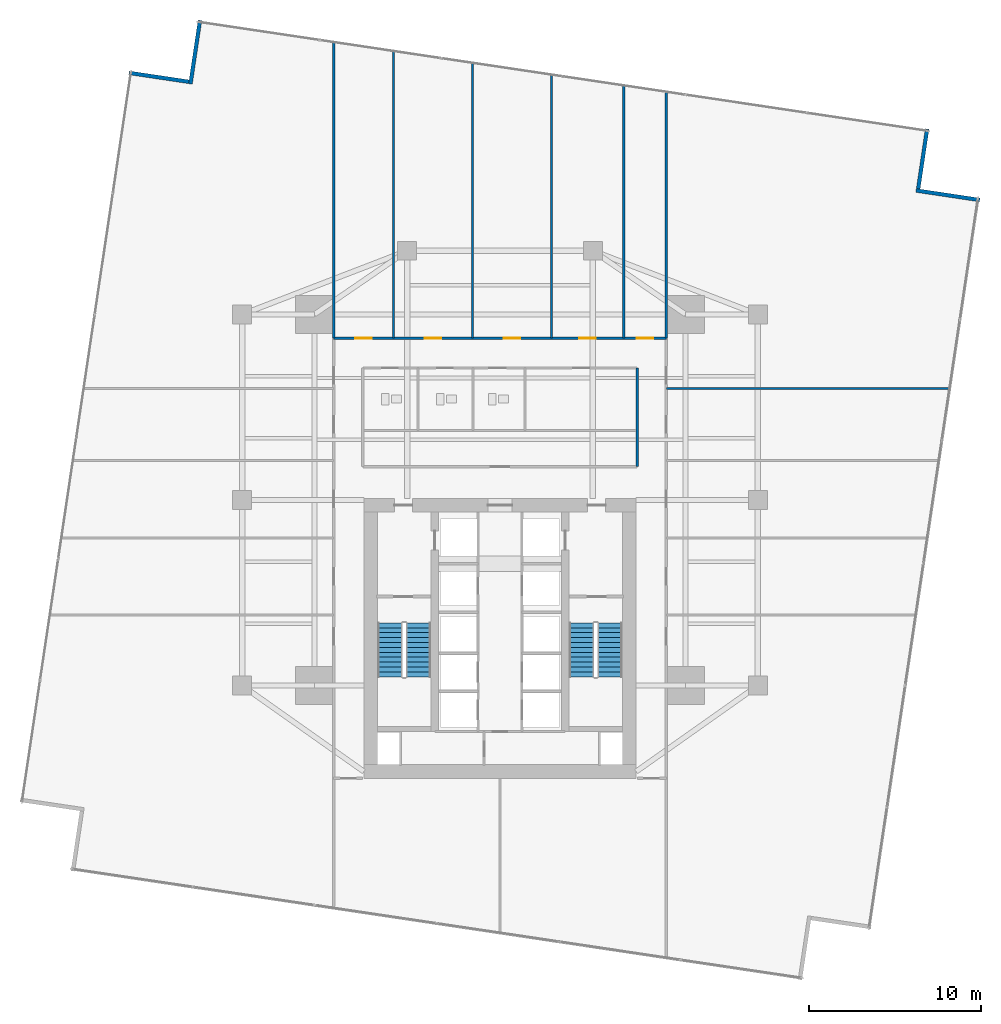
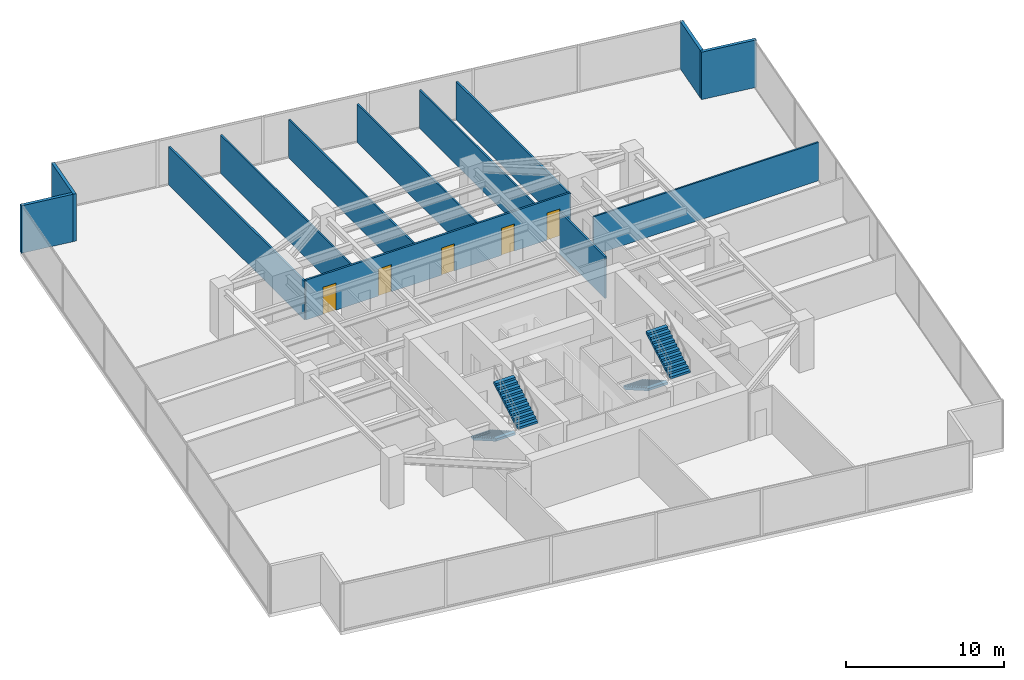
# One storey, part 27 of 29: 13 walls, 5 doors, 4 stair flights, 5 openings, 2 elements without a shape of their own.
"""IFC4 building model written with IfcOpenShell, lengths in metres."""

from ifc_helpers import new_model, si_unit, direction, frame, frame_2d, origin, place, context, subcontext, project, spatial, polyline, rectangle, outline, extrude, material, layer, layer_set, type_object, element, fill, aggregate, save


model = new_model("IFC4")

# Units and contexts
model_context = context("Model", 3, precision=1e-05, world=origin(), true_north=direction((0.0, 1.0)))
body_context = subcontext(model_context, "Body", "Model", "MODEL_VIEW")
ifc_project = project(units=[si_unit("LENGTHUNIT", "METRE"), si_unit("AREAUNIT", "SQUARE_METRE"), si_unit("VOLUMEUNIT", "CUBIC_METRE"), si_unit("PLANEANGLEUNIT", "RADIAN"), si_unit("MASSUNIT", "GRAM", prefix="KILO")], contexts=[model_context])

# Site, building, storey
site_placement = place(None, origin())
site = spatial("IfcSite", under=ifc_project, at=site_placement, CompositionType="ELEMENT")
building_placement = place(site_placement, origin())
building = spatial("IfcBuilding", under=site, at=building_placement, Name="Krantzveldt Concourse Tower", CompositionType="ELEMENT")
storey_placement = place(building_placement, frame((0.0, 0.0, 68.449951171875)))
storey = spatial("IfcBuildingStorey", under=building, at=storey_placement, Name="L16", CompositionType="ELEMENT", Elevation=68.449951171875)

# Walls
ifc_material_1 = material(Name="Anodised aluminium 6063-T6", Category="aluminium")
ifc_layer_1 = layer(ifc_material_1, 0.219970703125, Name="Anodised aluminium 6063-T6", Category="aluminium")
ifc_layer_set_1 = layer_set([ifc_layer_1], Name="Anodised aluminium 6063-T6 (WL-EXT-NOTCH220)")
wall_type_1 = type_object("IfcWallType", Name="WL-EXT-NOTCH220", PredefinedType="ELEMENTEDWALL", material=ifc_layer_set_1)
wall_1_placement = place(storey_placement, frame((17.897705078125, 51.032958984375, 0.0), z_axis=(0.0, 0.0, 1.0), x_axis=(-0.989015973204, 0.147808676155, 0.0)))
element("IfcWall", 1, at=wall_1_placement, inside=storey, type_object=wall_type_1, Name="EW-L16-NCH00", PredefinedType="ELEMENTEDWALL", context=body_context, shape_type="SweptSolid", body=[
    extrude(rectangle(XDim=3.52490234375, YDim=0.219970703125, at=frame_2d((1.762451171875, 0.0))), origin(), (0.0, 0.0, 1.0), 3.670166015625),
])
wall_2_placement = place(storey_placement, frame((63.911865234375, 44.156005859375, 0.0), z_axis=(0.0, 0.0, 1.0), x_axis=(-0.989009392913, 0.147852699435, 0.0)))
element("IfcWall", 2, at=wall_2_placement, inside=storey, type_object=wall_type_1, Name="EW-L16-NCH08", PredefinedType="ELEMENTEDWALL", context=body_context, shape_type="SweptSolid", body=[
    extrude(rectangle(XDim=3.7451171875, YDim=0.219970703125, at=frame_2d((1.87255859375, 0.0))), origin(), (0.0, 0.0, 1.0), 3.670166015625),
])
wall_3_placement = place(storey_placement, frame((60.3330078125, 44.80224609375, 0.0), z_axis=(0.0, 0.0, 1.0), x_axis=(0.147798551521, 0.98901748628, 0.0)))
element("IfcWall", 3, at=wall_3_placement, inside=storey, type_object=wall_type_1, Name="EW-L16-NCH09", PredefinedType="ELEMENTEDWALL", context=body_context, shape_type="SweptSolid", body=[
    extrude(rectangle(XDim=3.525146484375, YDim=0.219970703125, at=frame_2d((1.7626953125, 0.0))), origin(), (0.0, 0.0, 1.0), 3.670166015625),
])
wall_4_placement = place(storey_placement, frame((18.5439453125, 54.61181640625, 0.0), z_axis=(0.0, 0.0, 1.0), x_axis=(-0.147852699435, -0.989009392913, 0.0)))
element("IfcWall", 4, at=wall_4_placement, inside=storey, type_object=wall_type_1, Name="EW-L16-NCH11", PredefinedType="ELEMENTEDWALL", context=body_context, shape_type="SweptSolid", body=[
    extrude(rectangle(XDim=3.7451171875, YDim=0.219970703125, at=frame_2d((1.87255859375, 0.0))), origin(), (0.0, 0.0, 1.0), 3.670166015625),
])
ifc_material_2 = material(Name="Fire-rated gypsum plasterboard on steel stud", Category="steel")
ifc_layer_2 = layer(ifc_material_2, 0.1201171875, Name="Fire-rated gypsum plasterboard on steel stud", Category="steel")
ifc_layer_set_2 = layer_set([ifc_layer_2], Name="Fire-rated gypsum plasterboard on steel stud (WL-PART-120)")
wall_type_2 = type_object("IfcWallType", Name="WL-PART-120", PredefinedType="PARTITIONING", material=ifc_layer_set_2)
wall_5_placement = place(storey_placement, frame((29.800048828125, 36.1201171875, 0.0), z_axis=(0.0, 0.0, 1.0), x_axis=(0.0, 1.0, 0.0)))
element("IfcWall", 5, at=wall_5_placement, inside=storey, type_object=wall_type_2, Name="WP-L16-ND1", PredefinedType="PARTITIONING", context=body_context, shape_type="SweptSolid", body=[
    extrude(rectangle(XDim=16.693115234375, YDim=0.1201171875, at=frame_2d((8.3466796875, 0.0))), origin(), (0.0, 0.0, 1.0), 2.969970703125),
])
wall_6_placement = place(storey_placement, frame((34.39990234375, 36.1201171875, 0.0), z_axis=(0.0, 0.0, 1.0), x_axis=(0.0, 1.0, 0.0)))
element("IfcWall", 6, at=wall_6_placement, inside=storey, type_object=wall_type_2, Name="WP-L16-ND2", PredefinedType="PARTITIONING", context=body_context, shape_type="SweptSolid", body=[
    extrude(rectangle(XDim=16.005615234375, YDim=0.1201171875, at=frame_2d((8.0029296875, 0.0))), origin(), (0.0, 0.0, 1.0), 2.969970703125),
])
wall_7_placement = place(storey_placement, frame((39.0, 36.1201171875, 0.0), z_axis=(0.0, 0.0, 1.0), x_axis=(0.0, 1.0, 0.0)))
element("IfcWall", 7, at=wall_7_placement, inside=storey, type_object=wall_type_2, Name="WP-L16-ND3", PredefinedType="PARTITIONING", context=body_context, shape_type="SweptSolid", body=[
    extrude(rectangle(XDim=15.318115234375, YDim=0.1201171875, at=frame_2d((7.6591796875, 0.0))), origin(), (0.0, 0.0, 1.0), 2.969970703125),
])
wall_8_placement = place(storey_placement, frame((43.199951171875, 36.1201171875, 0.0), z_axis=(0.0, 0.0, 1.0), x_axis=(0.0, 1.0, 0.0)))
element("IfcWall", 8, at=wall_8_placement, inside=storey, type_object=wall_type_2, Name="WP-L16-ND4", PredefinedType="PARTITIONING", context=body_context, shape_type="SweptSolid", body=[
    extrude(rectangle(XDim=14.6904296875, YDim=0.1201171875, at=frame_2d((7.34521484375, 0.0))), origin(), (0.0, 0.0, 1.0), 2.969970703125),
])
wall_9_placement = place(storey_placement, frame((45.679931640625, 33.199951171875, 0.0), z_axis=(0.0, 0.0, 1.0), x_axis=(1.0, 0.0, 0.0)))
element("IfcWall", 9, at=wall_9_placement, inside=storey, type_object=wall_type_2, Name="WP-L16-ED4", PredefinedType="PARTITIONING", context=body_context, shape_type="SweptSolid", body=[
    extrude(rectangle(XDim=16.478271484375, YDim=0.1201171875, at=frame_2d((8.2392578125, 0.0))), origin(), (0.0, 0.0, 1.0), 2.969970703125),
])
ifc_layer_3 = layer(ifc_material_2, 0.139892578125, Name="Fire-rated gypsum plasterboard on steel stud", Category="steel")
ifc_layer_set_3 = layer_set([ifc_layer_3], Name="Fire-rated gypsum plasterboard on steel stud (WL-PART-140)")
wall_type_3 = type_object("IfcWallType", Name="WL-PART-140", PredefinedType="PARTITIONING", material=ifc_layer_set_3)
wall_10_placement = place(storey_placement, frame((43.97998046875, 28.639892578125, 0.0), z_axis=(0.0, 0.0, 1.0), x_axis=(0.0, 1.0, 0.0)))
element("IfcWall", 10, at=wall_10_placement, inside=storey, type_object=wall_type_3, Name="WP-L16-ISLE", PredefinedType="PARTITIONING", context=body_context, shape_type="SweptSolid", body=[
    extrude(rectangle(XDim=5.739990234375, YDim=0.139892578125, at=frame_2d((2.8701171875, 0.0))), origin(), (0.0, 0.0, 1.0), 3.219970703125),
])

# Wall, openings, doors
wall_11_placement = place(storey_placement, frame((26.320068359375, 36.1201171875, 0.0), z_axis=(0.0, 0.0, 1.0), x_axis=(1.0, 0.0, 0.0)))
wall_11 = element("IfcWall", 11, at=wall_11_placement, inside=storey, type_object=wall_type_3, Name="WP-L16-CTOP", PredefinedType="PARTITIONING", context=body_context, shape_type="SweptSolid", body=[
    extrude(rectangle(XDim=19.35986328125, YDim=0.139892578125, at=frame_2d((9.679931640625, 0.0))), origin(), (0.0, 0.0, 1.0), 3.080078125),
])
opening_1_placement = place(wall_11_placement, frame((1.264892578125, 0.0, 0.0)))
opening_1 = element("IfcOpeningElement", 12, at=opening_1_placement, cuts=wall_11, Name="Opening D-IN095", PredefinedType="OPENING", context=body_context, shape_type="SweptSolid", body=[
    extrude(rectangle(XDim=0.949951171875, YDim=2.10009765625, at=frame_2d((0.47509765625, 1.050048828125))), frame((0.0, 0.080078125, 0.0), z_axis=(0.0, -1.0, 0.0), x_axis=(1.0, 0.0, 0.0)), (0.0, 0.0, 1.0), 0.159912109375),
])
opening_2_placement = place(wall_11_placement, frame((5.304931640625, 0.0, 0.0)))
opening_2 = element("IfcOpeningElement", 13, at=opening_2_placement, cuts=wall_11, Name="Opening D-IN095", PredefinedType="OPENING", context=body_context, shape_type="SweptSolid", body=[
    extrude(rectangle(XDim=0.949951171875, YDim=2.10009765625, at=frame_2d((0.47509765625, 1.050048828125))), frame((0.0, 0.080078125, 0.0), z_axis=(0.0, -1.0, 0.0), x_axis=(1.0, 0.0, 0.0)), (0.0, 0.0, 1.0), 0.159912109375),
])
opening_3_placement = place(wall_11_placement, frame((9.905029296875, 0.0, 0.0)))
opening_3 = element("IfcOpeningElement", 14, at=opening_3_placement, cuts=wall_11, Name="Opening D-IN095", PredefinedType="OPENING", context=body_context, shape_type="SweptSolid", body=[
    extrude(rectangle(XDim=0.949951171875, YDim=2.10009765625, at=frame_2d((0.47509765625, 1.050048828125))), frame((0.0, 0.080078125, 0.0), z_axis=(0.0, -1.0, 0.0), x_axis=(1.0, 0.0, 0.0)), (0.0, 0.0, 1.0), 0.159912109375),
])
opening_4_placement = place(wall_11_placement, frame((14.304931640625, 0.0, 0.0)))
opening_4 = element("IfcOpeningElement", 15, at=opening_4_placement, cuts=wall_11, Name="Opening D-IN095", PredefinedType="OPENING", context=body_context, shape_type="SweptSolid", body=[
    extrude(rectangle(XDim=0.949951171875, YDim=2.10009765625, at=frame_2d((0.47509765625, 1.050048828125))), frame((0.0, 0.080078125, 0.0), z_axis=(0.0, -1.0, 0.0), x_axis=(1.0, 0.0, 0.0)), (0.0, 0.0, 1.0), 0.159912109375),
])
opening_5_placement = place(wall_11_placement, frame((17.64501953125, 0.0, 0.0)))
opening_5 = element("IfcOpeningElement", 16, at=opening_5_placement, cuts=wall_11, Name="Opening D-IN095", PredefinedType="OPENING", context=body_context, shape_type="SweptSolid", body=[
    extrude(rectangle(XDim=0.949951171875, YDim=2.10009765625, at=frame_2d((0.47509765625, 1.050048828125))), frame((0.0, 0.080078125, 0.0), z_axis=(0.0, -1.0, 0.0), x_axis=(1.0, 0.0, 0.0)), (0.0, 0.0, 1.0), 0.159912109375),
])
ifc_material_3 = material(Name="Hardwood timber", Category="wood")
door_type = type_object("IfcDoorType", Name="DR-INT-950", OperationType="SINGLE_SWING_LEFT", PredefinedType="DOOR", material=ifc_material_3)
door_1_placement = place(opening_1_placement, origin())
door_1 = element("IfcDoor", 17, at=door_1_placement, inside=storey, type_object=door_type, Name="DR-L16-NR1", OperationType="SINGLE_SWING_LEFT", OverallHeight=2.10009765625, OverallWidth=0.949951171875, PredefinedType="DOOR", context=body_context, shape_type="SweptSolid", body=[
    extrude(rectangle(XDim=0.949951171875, YDim=2.10009765625, at=frame_2d((0.47509765625, 1.050048828125))), frame((0.0, 0.02490234375, 0.0), z_axis=(0.0, -1.0, 0.0), x_axis=(1.0, 0.0, 0.0)), (0.0, 0.0, 1.0), 0.050048828125),
])
fill(opening_1, door_1)
door_2_placement = place(opening_2_placement, origin())
door_2 = element("IfcDoor", 18, at=door_2_placement, inside=storey, type_object=door_type, Name="DR-L16-NR2", OperationType="SINGLE_SWING_LEFT", OverallHeight=2.10009765625, OverallWidth=0.949951171875, PredefinedType="DOOR", context=body_context, shape_type="SweptSolid", body=[
    extrude(rectangle(XDim=0.949951171875, YDim=2.10009765625, at=frame_2d((0.47509765625, 1.050048828125))), frame((0.0, 0.02490234375, 0.0), z_axis=(0.0, -1.0, 0.0), x_axis=(1.0, 0.0, 0.0)), (0.0, 0.0, 1.0), 0.050048828125),
])
fill(opening_2, door_2)
door_3_placement = place(opening_3_placement, origin())
door_3 = element("IfcDoor", 19, at=door_3_placement, inside=storey, type_object=door_type, Name="DR-L16-NR3", OperationType="SINGLE_SWING_LEFT", OverallHeight=2.10009765625, OverallWidth=0.949951171875, PredefinedType="DOOR", context=body_context, shape_type="SweptSolid", body=[
    extrude(rectangle(XDim=0.949951171875, YDim=2.10009765625, at=frame_2d((0.47509765625, 1.050048828125))), frame((0.0, 0.02490234375, 0.0), z_axis=(0.0, -1.0, 0.0), x_axis=(1.0, 0.0, 0.0)), (0.0, 0.0, 1.0), 0.050048828125),
])
fill(opening_3, door_3)
door_4_placement = place(opening_4_placement, origin())
door_4 = element("IfcDoor", 20, at=door_4_placement, inside=storey, type_object=door_type, Name="DR-L16-NR4", OperationType="SINGLE_SWING_LEFT", OverallHeight=2.10009765625, OverallWidth=0.949951171875, PredefinedType="DOOR", context=body_context, shape_type="SweptSolid", body=[
    extrude(rectangle(XDim=0.949951171875, YDim=2.10009765625, at=frame_2d((0.47509765625, 1.050048828125))), frame((0.0, 0.02490234375, 0.0), z_axis=(0.0, -1.0, 0.0), x_axis=(1.0, 0.0, 0.0)), (0.0, 0.0, 1.0), 0.050048828125),
])
fill(opening_4, door_4)
door_5_placement = place(opening_5_placement, origin())
door_5 = element("IfcDoor", 21, at=door_5_placement, inside=storey, type_object=door_type, Name="DR-L16-NR5", OperationType="SINGLE_SWING_LEFT", OverallHeight=2.10009765625, OverallWidth=0.949951171875, PredefinedType="DOOR", context=body_context, shape_type="SweptSolid", body=[
    extrude(rectangle(XDim=0.949951171875, YDim=2.10009765625, at=frame_2d((0.47509765625, 1.050048828125))), frame((0.0, 0.02490234375, 0.0), z_axis=(0.0, -1.0, 0.0), x_axis=(1.0, 0.0, 0.0)), (0.0, 0.0, 1.0), 0.050048828125),
])
fill(opening_5, door_5)

# Walls
wall_12_placement = place(storey_placement, frame((26.320068359375, 36.1201171875, 0.0), z_axis=(0.0, 0.0, 1.0), x_axis=(0.0, 1.0, 0.0)))
element("IfcWall", 22, at=wall_12_placement, inside=storey, type_object=wall_type_3, Name="WP-L16-NWL", PredefinedType="PARTITIONING", context=body_context, shape_type="SweptSolid", body=[
    extrude(rectangle(XDim=17.213134765625, YDim=0.139892578125, at=frame_2d((8.6064453125, 0.0))), origin(), (0.0, 0.0, 1.0), 2.969970703125),
])
wall_13_placement = place(storey_placement, frame((45.679931640625, 36.1201171875, 0.0), z_axis=(0.0, 0.0, 1.0), x_axis=(0.0, 1.0, 0.0)))
element("IfcWall", 23, at=wall_13_placement, inside=storey, type_object=wall_type_3, Name="WP-L16-NER", PredefinedType="PARTITIONING", context=body_context, shape_type="SweptSolid", body=[
    extrude(rectangle(XDim=14.31982421875, YDim=0.139892578125, at=frame_2d((7.159912109375, 0.0))), origin(), (0.0, 0.0, 1.0), 2.969970703125),
])

# Stair, stair flights
ifc_material_4 = material(Name="Precast concrete C40/50", Category="concrete")
stair_type = type_object("IfcStairType", Name="STR-CORE-DOGLEG", PredefinedType="HALF_TURN_STAIR", material=ifc_material_4)
stair_1_placement = place(storey_placement, origin())
stair_1 = element("IfcStair", 24, at=stair_1_placement, inside=storey, type_object=stair_type, Name="L16 Protected Escape Stair ST-1", PredefinedType="HALF_TURN_STAIR")
stair_flight_type = type_object("IfcStairFlightType", Name="STF-CORE-1450", PredefinedType="STRAIGHT", material=ifc_material_4)
stair_flight_1_placement = place(storey_placement, frame((29.60498046875, 19.550048828125, 0.0), z_axis=(0.0, 0.0, 1.0), x_axis=(0.0, -1.0, 0.0)))
stair_flight_1 = element("IfcStairFlight", 25, at=stair_flight_1_placement, type_object=stair_flight_type, Name="ST-1 flight 1", NumberOfRisers=12, NumberOfTreads=11, PredefinedType="STRAIGHT", RiserHeight=0.164583333, TreadLength=0.285, context=body_context, shape_type="SweptSolid", body=[
    extrude(outline(polyline([(0.0, 0.0), (0.0, 0.16455078125), (0.284912109375, 0.16455078125), (0.284912109375, 0.3291015625), (0.570068359375, 0.3291015625), (0.570068359375, 0.49365234375), (0.85498046875, 0.49365234375), (0.85498046875, 0.658447265625), (1.139892578125, 0.658447265625), (1.139892578125, 0.822998046875), (1.425048828125, 0.822998046875), (1.425048828125, 0.987548828125), (1.7099609375, 0.987548828125), (1.7099609375, 1.152099609375), (1.9951171875, 1.152099609375), (1.9951171875, 1.316650390625), (2.280029296875, 1.316650390625), (2.280029296875, 1.481201171875), (2.56494140625, 1.481201171875), (2.56494140625, 1.645751953125), (2.85009765625, 1.645751953125), (2.85009765625, 1.810302734375), (3.135009765625, 1.810302734375), (3.135009765625, 1.97509765625), (3.135009765625, 1.63720703125), (0.2998046875, 0.0), (0.0, 0.0)])), frame((0.0, 0.72509765625, 0.0), z_axis=(0.0, -1.0, 0.0), x_axis=(1.0, 0.0, 0.0)), (0.0, 0.0, 1.0), 1.449951171875),
])
stair_flight_2_placement = place(storey_placement, frame((31.2548828125, 16.4150390625, 1.97509765625), z_axis=(0.0, 0.0, 1.0), x_axis=(0.0, 1.0, 0.0)))
stair_flight_2 = element("IfcStairFlight", 26, at=stair_flight_2_placement, type_object=stair_flight_type, Name="ST-1 flight 2", NumberOfRisers=12, NumberOfTreads=11, PredefinedType="STRAIGHT", RiserHeight=0.164583333, TreadLength=0.285, context=body_context, shape_type="SweptSolid", body=[
    extrude(outline(polyline([(0.0, 0.0), (0.0, 0.16455078125), (0.284912109375, 0.16455078125), (0.284912109375, 0.3291015625), (0.570068359375, 0.3291015625), (0.570068359375, 0.49365234375), (0.85498046875, 0.49365234375), (0.85498046875, 0.658447265625), (1.139892578125, 0.658447265625), (1.139892578125, 0.822998046875), (1.425048828125, 0.822998046875), (1.425048828125, 0.987548828125), (1.7099609375, 0.987548828125), (1.7099609375, 1.152099609375), (1.9951171875, 1.152099609375), (1.9951171875, 1.316650390625), (2.280029296875, 1.316650390625), (2.280029296875, 1.481201171875), (2.56494140625, 1.481201171875), (2.56494140625, 1.645751953125), (2.85009765625, 1.645751953125), (2.85009765625, 1.810302734375), (3.135009765625, 1.810302734375), (3.135009765625, 1.97509765625), (3.135009765625, 1.63720703125), (0.2998046875, 0.0), (0.0, 0.0)])), frame((0.0, 0.72509765625, 0.0), z_axis=(0.0, -1.0, 0.0), x_axis=(1.0, 0.0, 0.0)), (0.0, 0.0, 1.0), 1.449951171875),
])
aggregate(stair_1, [stair_flight_1, stair_flight_2])

stair_2_placement = place(storey_placement, origin())
stair_2 = element("IfcStair", 27, at=stair_2_placement, inside=storey, type_object=stair_type, Name="L16 Protected Escape Stair ST-2", PredefinedType="HALF_TURN_STAIR")
stair_flight_3_placement = place(storey_placement, frame((40.7451171875, 19.550048828125, 0.0), z_axis=(0.0, 0.0, 1.0), x_axis=(0.0, -1.0, 0.0)))
stair_flight_3 = element("IfcStairFlight", 28, at=stair_flight_3_placement, type_object=stair_flight_type, Name="ST-2 flight 1", NumberOfRisers=12, NumberOfTreads=11, PredefinedType="STRAIGHT", RiserHeight=0.164583333, TreadLength=0.285, context=body_context, shape_type="SweptSolid", body=[
    extrude(outline(polyline([(0.0, 0.0), (0.0, 0.16455078125), (0.284912109375, 0.16455078125), (0.284912109375, 0.3291015625), (0.570068359375, 0.3291015625), (0.570068359375, 0.49365234375), (0.85498046875, 0.49365234375), (0.85498046875, 0.658447265625), (1.139892578125, 0.658447265625), (1.139892578125, 0.822998046875), (1.425048828125, 0.822998046875), (1.425048828125, 0.987548828125), (1.7099609375, 0.987548828125), (1.7099609375, 1.152099609375), (1.9951171875, 1.152099609375), (1.9951171875, 1.316650390625), (2.280029296875, 1.316650390625), (2.280029296875, 1.481201171875), (2.56494140625, 1.481201171875), (2.56494140625, 1.645751953125), (2.85009765625, 1.645751953125), (2.85009765625, 1.810302734375), (3.135009765625, 1.810302734375), (3.135009765625, 1.97509765625), (3.135009765625, 1.63720703125), (0.2998046875, 0.0), (0.0, 0.0)])), frame((0.0, 0.72509765625, 0.0), z_axis=(0.0, -1.0, 0.0), x_axis=(1.0, 0.0, 0.0)), (0.0, 0.0, 1.0), 1.449951171875),
])
stair_flight_4_placement = place(storey_placement, frame((42.39501953125, 16.4150390625, 1.97509765625), z_axis=(0.0, 0.0, 1.0), x_axis=(0.0, 1.0, 0.0)))
stair_flight_4 = element("IfcStairFlight", 29, at=stair_flight_4_placement, type_object=stair_flight_type, Name="ST-2 flight 2", NumberOfRisers=12, NumberOfTreads=11, PredefinedType="STRAIGHT", RiserHeight=0.164583333, TreadLength=0.285, context=body_context, shape_type="SweptSolid", body=[
    extrude(outline(polyline([(0.0, 0.0), (0.0, 0.16455078125), (0.284912109375, 0.16455078125), (0.284912109375, 0.3291015625), (0.570068359375, 0.3291015625), (0.570068359375, 0.49365234375), (0.85498046875, 0.49365234375), (0.85498046875, 0.658447265625), (1.139892578125, 0.658447265625), (1.139892578125, 0.822998046875), (1.425048828125, 0.822998046875), (1.425048828125, 0.987548828125), (1.7099609375, 0.987548828125), (1.7099609375, 1.152099609375), (1.9951171875, 1.152099609375), (1.9951171875, 1.316650390625), (2.280029296875, 1.316650390625), (2.280029296875, 1.481201171875), (2.56494140625, 1.481201171875), (2.56494140625, 1.645751953125), (2.85009765625, 1.645751953125), (2.85009765625, 1.810302734375), (3.135009765625, 1.810302734375), (3.135009765625, 1.97509765625), (3.135009765625, 1.63720703125), (0.2998046875, 0.0), (0.0, 0.0)])), frame((0.0, 0.72509765625, 0.0), z_axis=(0.0, -1.0, 0.0), x_axis=(1.0, 0.0, 0.0)), (0.0, 0.0, 1.0), 1.449951171875),
])
aggregate(stair_2, [stair_flight_3, stair_flight_4])

save(model, "model.ifc")
